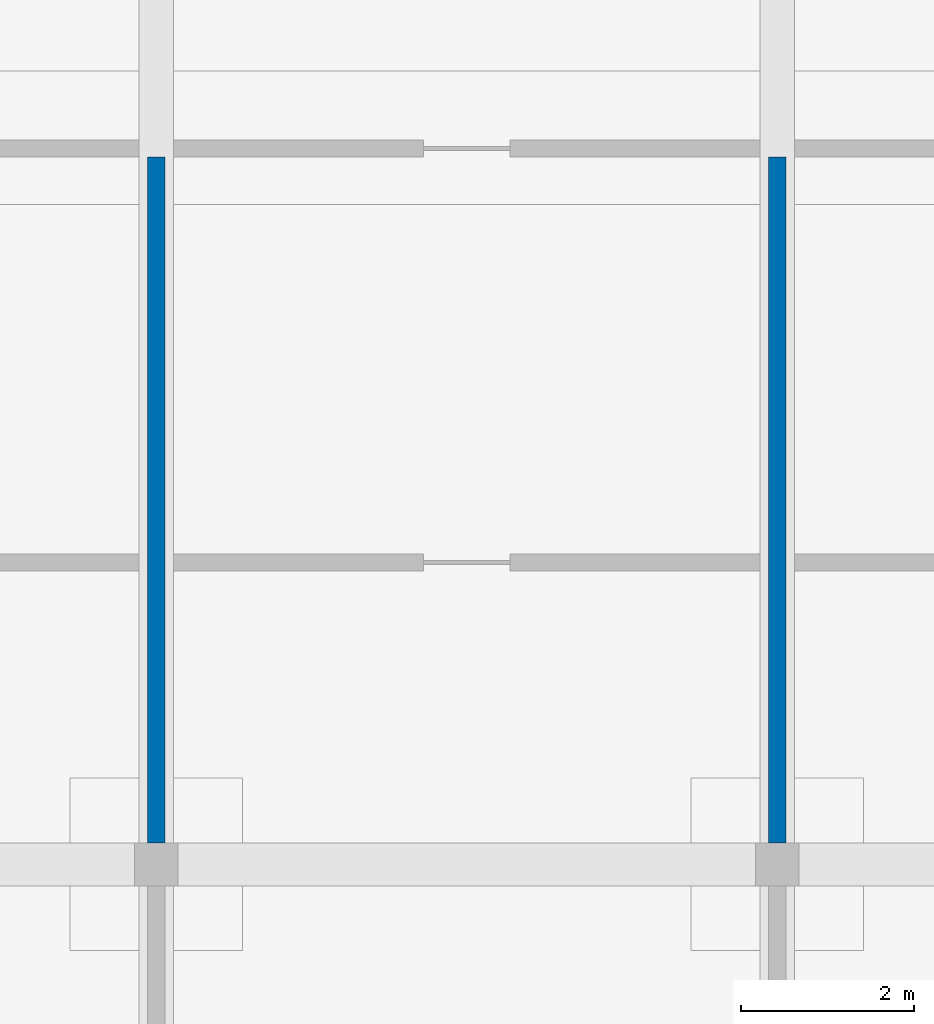
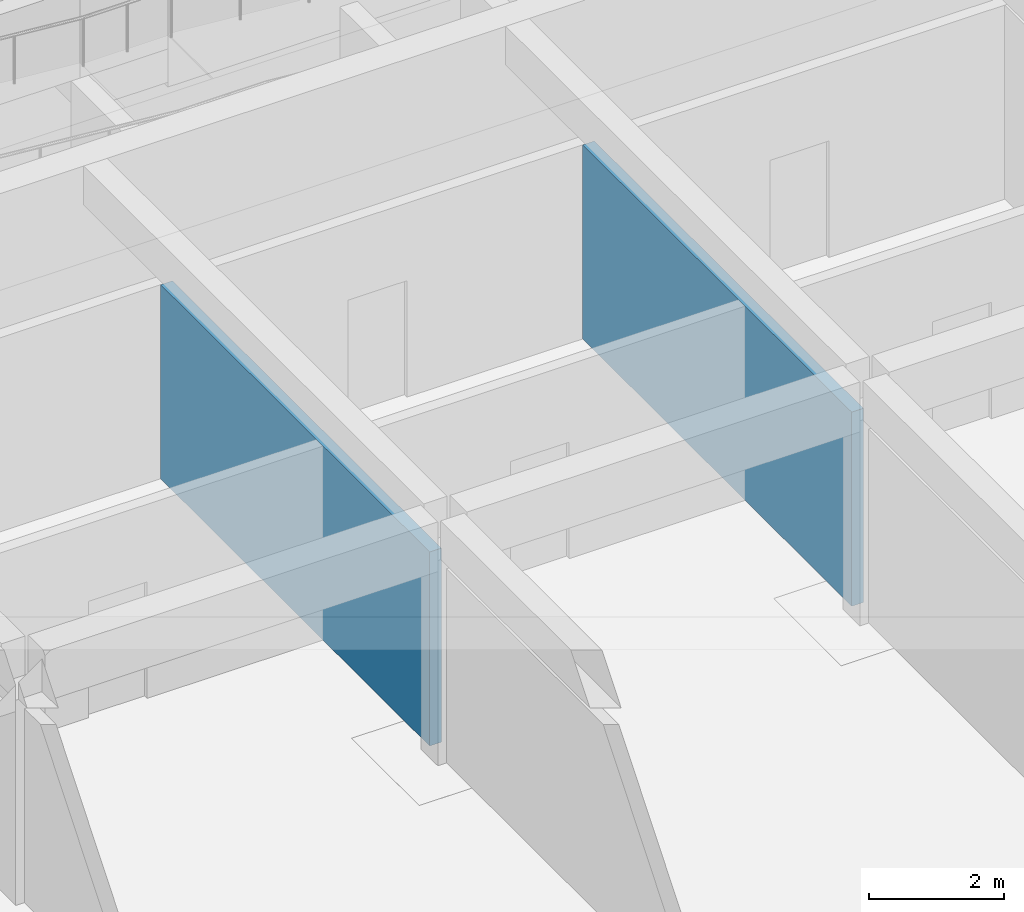
# One storey, part 54 of 73: 2 walls.
"""IFC4 building model written with IfcOpenShell, lengths in metres."""

import ifcopenshell
import ifcopenshell.guid

model = None  # the IFC model being written
_history = None  # IfcOwnerHistory: only IFC2X3 demands one
_inside = {}  # id of a spatial element -> (the spatial element, [elements in it])
_under = {}  # id of a project, library or spatial element -> (it, [spatial elements below it])
_declared = {}  # id of a project -> (the project, [libraries it declares])
_typed = {}  # id of a type object -> (the type object, [elements of that type])
_made_of = {}  # id of a material, layer set ... -> (it, [elements and type objects made of it])


def new_model(schema):
    """Start an empty IFC model of exactly this schema.

    Asked for "IFC4X3", IfcOpenShell would pick the latest addendum, in which some entities
    have other attributes; the version numbers below select the first issue.
    IFC2X3 requires an IfcOwnerHistory on every rooted entity: one is made here for all.
    """
    global model, _history
    if schema == "IFC4X3":
        model = ifcopenshell.file(schema_version=(4, 3, 0, 0))
    else:
        model = ifcopenshell.file(schema=schema)
    _inside.clear()
    _under.clear()
    _declared.clear()
    _typed.clear()
    _made_of.clear()
    _history = None
    if model.schema == "IFC2X3":
        org = make("IfcOrganization", Name="unknown")
        user = make(
            "IfcPersonAndOrganization",
            ThePerson=make("IfcPerson", FamilyName="unknown"),
            TheOrganization=org,
        )
        app = make(
            "IfcApplication",
            ApplicationDeveloper=org,
            Version="unknown",
            ApplicationFullName="unknown",
            ApplicationIdentifier="unknown",
        )
        _history = make(
            "IfcOwnerHistory",
            OwningUser=user,
            OwningApplication=app,
            ChangeAction="ADDED",
            CreationDate=0,
        )
    return model


def make(cls, **values):
    """One entity of the class cls with the attributes given. An attribute that is None is left unset."""
    return model.create_entity(
        cls, **{name: value for name, value in values.items() if value is not None}
    )


def rooted(cls, **values):
    """An entity with a GlobalId (a new one), such as an element, a storey or a relation."""
    return make(cls, GlobalId=ifcopenshell.guid.new(), OwnerHistory=_history, **values)


def si_unit(unit_type, name, prefix=None):
    """IfcSIUnit, for example si_unit("LENGTHUNIT", "METRE", prefix="MILLI")."""
    return make("IfcSIUnit", UnitType=unit_type, Prefix=prefix, Name=name)


def assignment(units):
    """IfcUnitAssignment: the units of a project."""
    return None if units is None else make("IfcUnitAssignment", Units=units)


def point(xyz):
    """IfcCartesianPoint."""
    return None if xyz is None else make("IfcCartesianPoint", Coordinates=xyz)


def direction(xyz):
    """IfcDirection."""
    return None if xyz is None else make("IfcDirection", DirectionRatios=xyz)


def frame(location, z_axis=None, x_axis=None):
    """IfcAxis2Placement3D, a coordinate frame: its origin and axes. An axis left out is left unset."""
    return make(
        "IfcAxis2Placement3D",
        Location=point(location),
        Axis=direction(z_axis),
        RefDirection=direction(x_axis),
    )


def frame_2d(location, x_axis=None):
    """IfcAxis2Placement2D, a coordinate frame in the plane: its origin and x axis."""
    return make(
        "IfcAxis2Placement2D", Location=point(location), RefDirection=direction(x_axis)
    )


def origin():
    """The frame at (0, 0, 0) with its axes left unset."""
    return frame((0.0, 0.0, 0.0))


def place(relative_to, where):
    """IfcLocalPlacement: puts the frame where relative to a parent placement (None: the world)."""
    return make(
        "IfcLocalPlacement", PlacementRelTo=relative_to, RelativePlacement=where
    )


def context(
    kind, dimensions, precision=None, world=None, true_north=None, identifier=None
):
    """IfcGeometricRepresentationContext, for example the 3D "Model" context."""
    return make(
        "IfcGeometricRepresentationContext",
        ContextIdentifier=identifier,
        ContextType=kind,
        CoordinateSpaceDimension=dimensions,
        Precision=precision,
        WorldCoordinateSystem=world,
        TrueNorth=true_north,
    )


def subcontext(parent, identifier, kind, view, scale=None):
    """IfcGeometricRepresentationSubContext, for example "Body" below "Model"."""
    return make(
        "IfcGeometricRepresentationSubContext",
        ContextIdentifier=identifier,
        ContextType=kind,
        ParentContext=parent,
        TargetScale=scale,
        TargetView=view,
    )


def project(units=None, contexts=None):
    """IfcProject with its units and contexts."""
    return rooted(
        "IfcProject",
        Name="project",
        RepresentationContexts=contexts,
        UnitsInContext=assignment(units),
    )


def spatial(cls, under=None, at=None, **own):
    """A site, building, storey or space (cls), placed at a placement, below another one or the project."""
    s = rooted(cls, ObjectPlacement=at, **own)
    if under is not None:
        _under.setdefault(under.id(), (under, []))[1].append(s)
    return s


def profile(cls, at=None, kind="AREA", **sizes):
    """A parametric profile (cls). Its sizes go by their IFC names, for example OverallWidth=200.0."""
    return make(cls, ProfileType=kind, Position=at, **sizes)


def rectangle(**sizes):
    """IfcRectangleProfileDef."""
    return profile("IfcRectangleProfileDef", **sizes)


def extrude(swept, where, along, depth):
    """IfcExtrudedAreaSolid: the profile swept, set in the frame where, extruded along a direction by depth."""
    return make(
        "IfcExtrudedAreaSolid",
        SweptArea=swept,
        Position=where,
        ExtrudedDirection=direction(along),
        Depth=depth,
    )


def shape(context_of_items, identifier, shape_type, items):
    """IfcShapeRepresentation: the items that make up one representation, for example the "Body"."""
    return make(
        "IfcShapeRepresentation",
        ContextOfItems=context_of_items,
        RepresentationIdentifier=identifier,
        RepresentationType=shape_type,
        Items=items,
    )


def material(Name=None, Category=None):
    """IfcMaterial."""
    return make("IfcMaterial", Name=Name, Category=Category)


def layer(
    of_material, thickness, ventilated=None, Name=None, Category=None, Priority=None
):
    """IfcMaterialLayer: one layer of a wall or slab, of a material (None: an air gap)."""
    return make(
        "IfcMaterialLayer",
        Material=of_material,
        LayerThickness=thickness,
        IsVentilated=ventilated,
        Name=Name,
        Category=Category,
        Priority=Priority,
    )


def layer_set(layers, Name=None):
    """IfcMaterialLayerSet."""
    return make("IfcMaterialLayerSet", MaterialLayers=layers, LayerSetName=Name)


def made_of(thing, what):
    """Note that an element or type object is made of a material, layer set ...; save() writes the relation."""
    if what is not None:
        _made_of.setdefault(what.id(), (what, []))[1].append(thing)
    return thing


def type_object(cls, material=None, **own):
    """A type object (cls), such as IfcWallType, which elements share."""
    return made_of(rooted(cls, **own), material)


def element(
    cls,
    number,
    at=None,
    inside=None,
    cuts=None,
    type_object=None,
    material=None,
    context=None,
    identifier="Body",
    shape_type=None,
    held_by="IfcProductDefinitionShape",
    body=None,
    shapes=None,
    **own,
):
    """One element of the class cls, such as IfcWall. Its Tag is "e" and its number.

    at: its placement. inside: the storey or other place that contains it. cuts: it is an
    opening in that element (IfcRelVoidsElement). A single representation is given by context,
    identifier, shape_type and body (its items); several are given by shapes. held_by: the class
    of the entity that holds the representations. save() writes the other relations.
    """
    e = rooted(cls, Tag="e%d" % number, ObjectPlacement=at, **own)
    if body is not None:
        shapes = [shape(context, identifier, shape_type, body)]
    if shapes is not None:
        e.Representation = make(held_by, Representations=shapes)
    if inside is not None:
        _inside.setdefault(inside.id(), (inside, []))[1].append(e)
    if cuts is not None:
        rooted(
            "IfcRelVoidsElement", RelatingBuildingElement=cuts, RelatedOpeningElement=e
        )
    if type_object is not None:
        _typed.setdefault(type_object.id(), (type_object, []))[1].append(e)
    return made_of(e, material)


def aggregate(whole, parts):
    """IfcRelAggregates: a whole, such as a stair, and the parts it consists of."""
    return rooted("IfcRelAggregates", RelatingObject=whole, RelatedObjects=parts)


def save(model, path):
    """Write the relations noted so far, then the file.

    IfcRelAggregates (storeys below a building ...), IfcRelContainedInSpatialStructure (elements
    in a storey), IfcRelDefinesByType, IfcRelAssociatesMaterial and IfcRelDeclares: one each for
    every whole, place, type object, material and project.
    """
    for whole, parts in _under.values():
        aggregate(whole, parts)
    for where, things in _inside.values():
        rooted(
            "IfcRelContainedInSpatialStructure",
            RelatedElements=things,
            RelatingStructure=where,
        )
    for kind, things in _typed.values():
        rooted("IfcRelDefinesByType", RelatedObjects=things, RelatingType=kind)
    for what, things in _made_of.values():
        rooted("IfcRelAssociatesMaterial", RelatedObjects=things, RelatingMaterial=what)
    for by, libraries in _declared.values():
        rooted("IfcRelDeclares", RelatingContext=by, RelatedDefinitions=libraries)
    model.write(path)


model = new_model("IFC4")

# Units and contexts
model_context = context("Model", 3, precision=1e-05, world=origin(), true_north=direction((0.0, 1.0)))
body_context = subcontext(model_context, "Body", "Model", "MODEL_VIEW")
ifc_project = project(units=[si_unit("LENGTHUNIT", "METRE"), si_unit("AREAUNIT", "SQUARE_METRE"), si_unit("VOLUMEUNIT", "CUBIC_METRE"), si_unit("PLANEANGLEUNIT", "RADIAN"), si_unit("MASSUNIT", "GRAM", prefix="KILO")], contexts=[model_context])

# Site, building, storey
site_placement = place(None, origin())
site = spatial("IfcSite", under=ifc_project, at=site_placement, CompositionType="ELEMENT")
building_placement = place(site_placement, origin())
building = spatial("IfcBuilding", under=site, at=building_placement, Name="Alderwick Market Hall", CompositionType="ELEMENT")
storey_placement = place(building_placement, origin())
storey = spatial("IfcBuildingStorey", under=building, at=storey_placement, Name="LG", CompositionType="ELEMENT", Elevation=0.0)

# Walls
ifc_material = material(Name="Concrete masonry 3000 psi", Category="masonry")
ifc_layer = layer(ifc_material, 0.199951171875)
ifc_layer_set = layer_set([ifc_layer], Name="Concrete masonry 3000 psi")
wall_type = type_object("IfcWallType", Name="A Masonry Partition 200", PredefinedType="PARTITIONING", material=ifc_layer_set)
for number, where, z_axis, x_axis, name in (
    (1, (100.800048828125, 129.85009765625, 0.0), (0.0, 0.0, 1.0), (0.0, 1.0, 0.0), "A.N.wall.038"),
    (2, (108.0, 129.85009765625, 0.0), (0.0, 0.0, 1.0), (0.0, 1.0, 0.0), "A.N.wall.040"),
):
    element("IfcWall", number, at=place(storey_placement, frame(where, z_axis=z_axis, x_axis=x_axis)), inside=storey, type_object=wall_type, Name=name, PredefinedType="PARTITIONING", context=body_context, shape_type="SweptSolid", body=[
        extrude(rectangle(XDim=7.949951171875, YDim=0.199951171875, at=frame_2d((3.97509765625, 0.0))), origin(), (0.0, 0.0, 1.0), 3.5),
    ])

save(model, "model.ifc")
